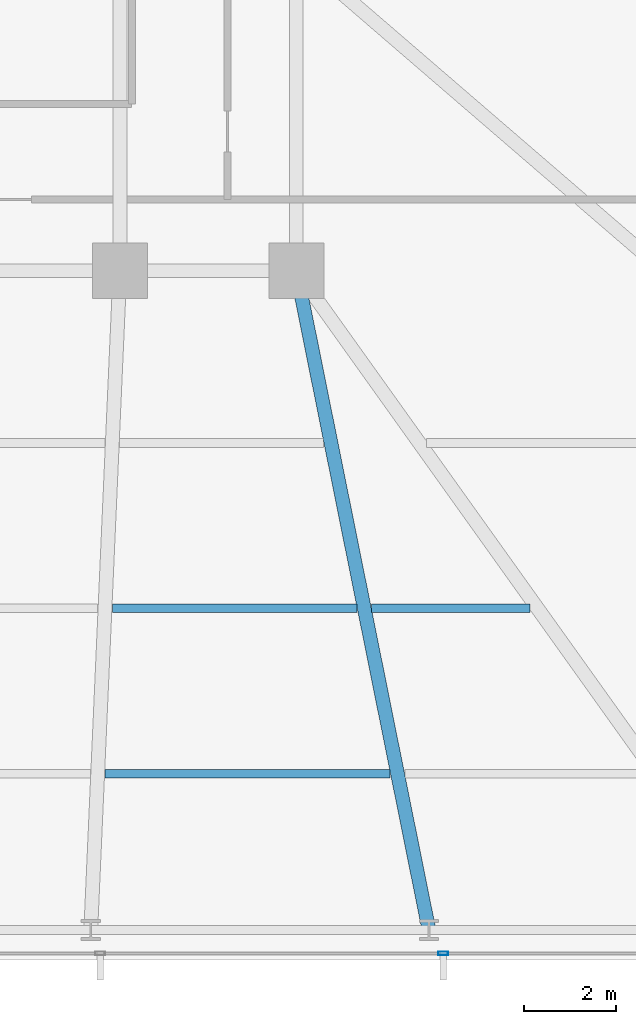
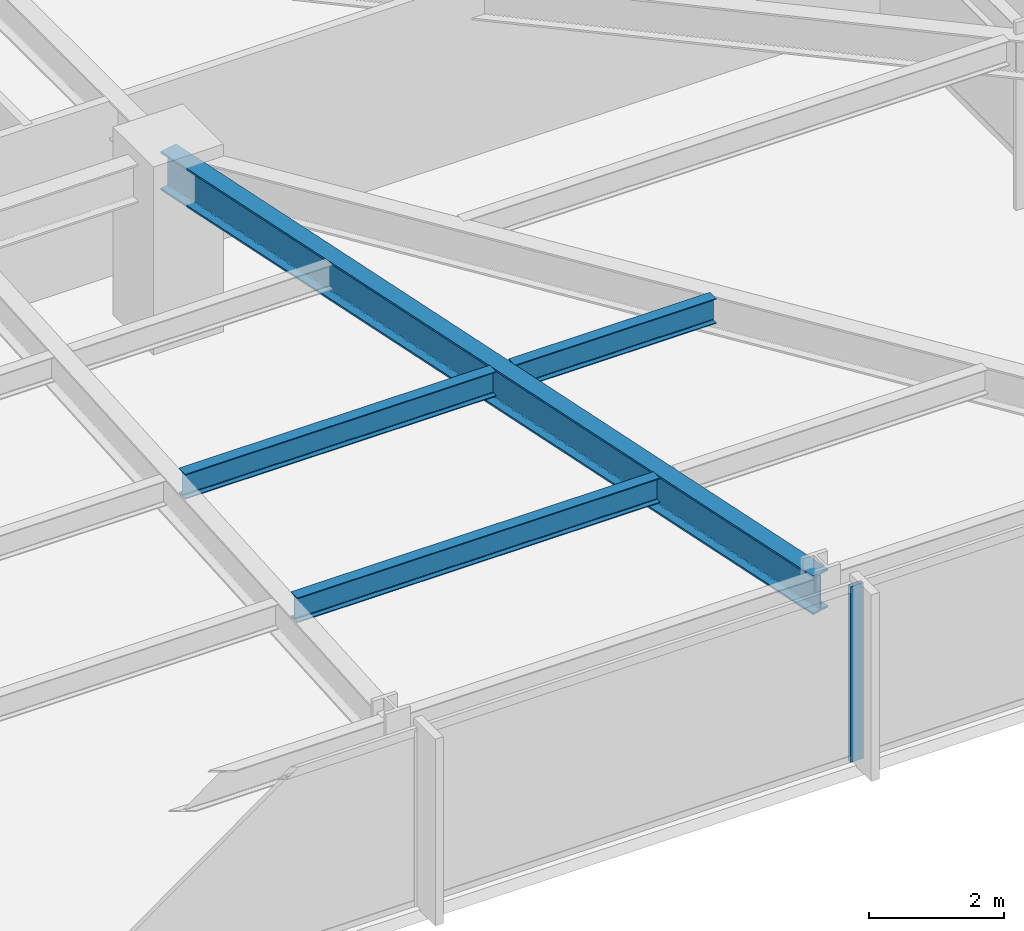
# One storey, part 14 of 33: 4 beams, 1 member, 1 element without a shape of its own.
"""IFC4 building model written with IfcOpenShell, lengths in metres."""

from ifc_helpers import new_model, si_unit, direction, frame, origin, origin_2d, place, context, subcontext, project, spatial, hollow_rectangle, i_section, extrude, material, material_profile, profile_set, type_object, element, aggregate, save


model = new_model("IFC4")

# Units and contexts
model_context = context("Model", 3, precision=1e-05, world=origin(), true_north=direction((0.0, 1.0)))
body_context = subcontext(model_context, "Body", "Model", "MODEL_VIEW")
ifc_project = project(units=[si_unit("LENGTHUNIT", "METRE"), si_unit("AREAUNIT", "SQUARE_METRE"), si_unit("VOLUMEUNIT", "CUBIC_METRE"), si_unit("PLANEANGLEUNIT", "RADIAN"), si_unit("MASSUNIT", "GRAM", prefix="KILO")], contexts=[model_context])

# Site, building, storey
site_placement = place(None, origin())
site = spatial("IfcSite", under=ifc_project, at=site_placement, CompositionType="ELEMENT")
building_placement = place(site_placement, origin())
building = spatial("IfcBuilding", under=site, at=building_placement, Name="Yelkora Congress Tower", CompositionType="ELEMENT")
storey_placement = place(building_placement, frame((0.0, 0.0, 54.199951171875)))
storey = spatial("IfcBuildingStorey", under=building, at=storey_placement, Name="L13", CompositionType="ELEMENT", Elevation=54.199951171875)

# Beams
ifc_material_1 = material(Name="Steel S355J2", Category="steel")
ifc_material_profile_1 = material_profile(ifc_material_1, i_section(OverallWidth=0.300048828125, OverallDepth=0.699951171875, WebThickness=0.01708984375, FlangeThickness=0.031982421875, FilletRadius=0.027099609375, at=origin_2d()), Name="HEB 700")
ifc_profile_set_1 = profile_set([ifc_material_profile_1], Name="Steel S355J2")
beam_type_1 = type_object("IfcBeamType", Name="BM-GIRD-HEB700", PredefinedType="BEAM", material=ifc_profile_set_1)
beam_1_placement = place(storey_placement, frame((60.487548828125, 10.85009765625, 2.830078125), z_axis=(-0.197264295931, 0.980350344291, 0.0), x_axis=(-0.980350344291, -0.197264295931, 0.0)))
element("IfcBeam", 1, at=beam_1_placement, inside=storey, type_object=beam_type_1, Name="L13 Primary Frame Girder S08", PredefinedType="BEAM", context=body_context, shape_type="SweptSolid", body=[
    extrude(i_section(OverallWidth=0.300048828125, OverallDepth=0.699951171875, WebThickness=0.01708984375, FlangeThickness=0.031982421875, FilletRadius=0.027099609375, at=origin_2d()), origin(), (0.0, 0.0, 1.0), 14.637451171875),
])
ifc_material_profile_2 = material_profile(ifc_material_1, i_section(OverallWidth=0.18994140625, OverallDepth=0.449951171875, WebThickness=0.009521484375, FlangeThickness=0.0146484375, FilletRadius=0.02099609375, at=origin_2d()), Name="IPE 450")
ifc_profile_set_2 = profile_set([ifc_material_profile_2], Name="Steel S355J2")
beam_type_2 = type_object("IfcBeamType", Name="BM-JOIST-IPE450", PredefinedType="JOIST", material=ifc_profile_set_2)
beam_2_placement = place(storey_placement, frame((53.435546875, 14.25, 2.955078125), z_axis=(1.0, 0.0, 0.0), x_axis=(0.0, 1.0, 0.0)))
element("IfcBeam", 2, at=beam_2_placement, inside=storey, type_object=beam_type_2, Name="L13 Composite Floor Joist 7", PredefinedType="JOIST", context=body_context, shape_type="SweptSolid", body=[
    extrude(i_section(OverallWidth=0.18994140625, OverallDepth=0.449951171875, WebThickness=0.009521484375, FlangeThickness=0.0146484375, FilletRadius=0.02099609375, at=origin_2d()), origin(), (0.0, 0.0, 1.0), 6.207763671875),
])
beam_3_placement = place(storey_placement, frame((53.5947265625, 17.85009765625, 2.955078125), z_axis=(1.0, 0.0, 0.0), x_axis=(0.0, 1.0, 0.0)))
element("IfcBeam", 3, at=beam_3_placement, inside=storey, type_object=beam_type_2, Name="L13 Composite Floor Joist 15", PredefinedType="JOIST", context=body_context, shape_type="SweptSolid", body=[
    extrude(i_section(OverallWidth=0.18994140625, OverallDepth=0.449951171875, WebThickness=0.009521484375, FlangeThickness=0.0146484375, FilletRadius=0.02099609375, at=origin_2d()), origin(), (0.0, 0.0, 1.0), 5.32421875),
])
beam_4_placement = place(storey_placement, frame((59.239013671875, 17.85009765625, 2.955078125), z_axis=(1.0, 0.0, 0.0), x_axis=(0.0, 1.0, 0.0)))
element("IfcBeam", 4, at=beam_4_placement, inside=storey, type_object=beam_type_2, Name="L13 Composite Floor Joist 16", PredefinedType="JOIST", context=body_context, shape_type="SweptSolid", body=[
    extrude(i_section(OverallWidth=0.18994140625, OverallDepth=0.449951171875, WebThickness=0.009521484375, FlangeThickness=0.0146484375, FilletRadius=0.02099609375, at=origin_2d()), origin(), (0.0, 0.0, 1.0), 3.450927734375),
])

# Curtain wall, member
ifc_material_2 = material(Name="Anodised aluminium and insulated glass", Category="aluminium")
curtain_wall_type = type_object("IfcCurtainWallType", Name="CW-SYS-B1", PredefinedType="NOTDEFINED", material=ifc_material_2)
curtain_wall_placement = place(storey_placement, origin())
curtain_wall = element("IfcCurtainWall", 5, at=curtain_wall_placement, inside=storey, type_object=curtain_wall_type, Name="L13 Unitised Curtain Wall 20", PredefinedType="NOTDEFINED")
ifc_material_3 = material(Name="Anodised aluminium 6063-T6", Category="aluminium")
ifc_material_profile_3 = material_profile(ifc_material_3, hollow_rectangle(XDim=0.074951171875, YDim=0.219970703125, WallThickness=0.0048828125, at=origin_2d()), Name="ALU 75x220x5")
ifc_profile_set_3 = profile_set([ifc_material_profile_3], Name="Anodised aluminium 6063-T6")
member_type = type_object("IfcMemberType", Name="MEM-ML-B1", PredefinedType="MULLION", material=ifc_profile_set_3)
member_placement = place(storey_placement, frame((60.794921875, 10.340087890625, 0.0), z_axis=(0.0, 0.0, 1.0), x_axis=(0.0, -1.0, 0.0)))
member = element("IfcMember", 6, at=member_placement, type_object=member_type, Name="CW-B1 mullion 2", PredefinedType="MULLION", context=body_context, shape_type="SweptSolid", body=[
    extrude(hollow_rectangle(XDim=0.074951171875, YDim=0.219970703125, WallThickness=0.0048828125, at=origin_2d()), origin(), (0.0, 0.0, 1.0), 3.179931640625),
])
aggregate(curtain_wall, [member])

save(model, "model.ifc")
